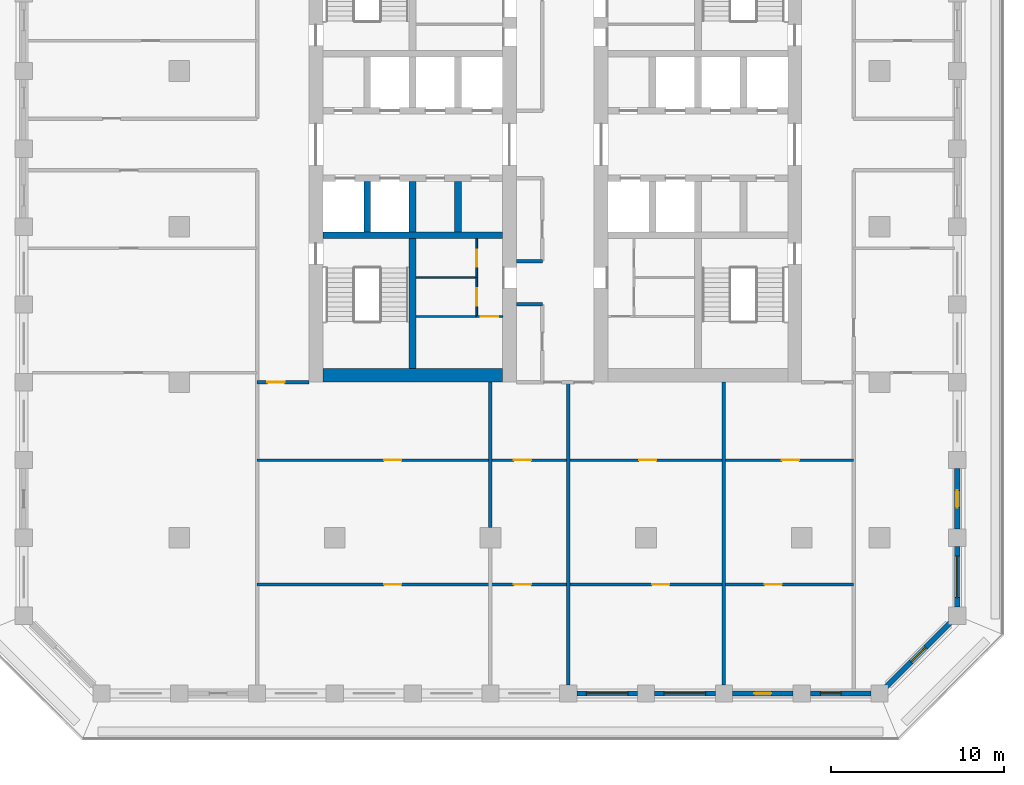
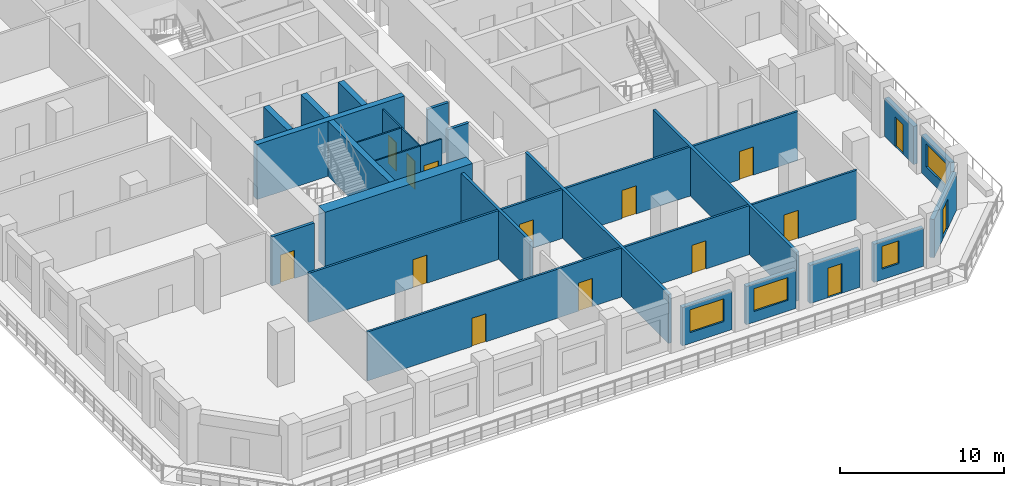
# One storey, part 3 of 16: 26 walls, 15 doors, 4 windows, 19 openings.
"""IFC4 building model written with IfcOpenShell, lengths in metres."""

import ifcopenshell
import ifcopenshell.guid

model = None  # the IFC model being written
_history = None  # IfcOwnerHistory: only IFC2X3 demands one
_inside = {}  # id of a spatial element -> (the spatial element, [elements in it])
_under = {}  # id of a project, library or spatial element -> (it, [spatial elements below it])
_declared = {}  # id of a project -> (the project, [libraries it declares])
_typed = {}  # id of a type object -> (the type object, [elements of that type])
_made_of = {}  # id of a material, layer set ... -> (it, [elements and type objects made of it])


def new_model(schema):
    """Start an empty IFC model of exactly this schema.

    Asked for "IFC4X3", IfcOpenShell would pick the latest addendum, in which some entities
    have other attributes; the version numbers below select the first issue.
    IFC2X3 requires an IfcOwnerHistory on every rooted entity: one is made here for all.
    """
    global model, _history
    if schema == "IFC4X3":
        model = ifcopenshell.file(schema_version=(4, 3, 0, 0))
    else:
        model = ifcopenshell.file(schema=schema)
    _inside.clear()
    _under.clear()
    _declared.clear()
    _typed.clear()
    _made_of.clear()
    _history = None
    if model.schema == "IFC2X3":
        org = make("IfcOrganization", Name="unknown")
        user = make(
            "IfcPersonAndOrganization",
            ThePerson=make("IfcPerson", FamilyName="unknown"),
            TheOrganization=org,
        )
        app = make(
            "IfcApplication",
            ApplicationDeveloper=org,
            Version="unknown",
            ApplicationFullName="unknown",
            ApplicationIdentifier="unknown",
        )
        _history = make(
            "IfcOwnerHistory",
            OwningUser=user,
            OwningApplication=app,
            ChangeAction="ADDED",
            CreationDate=0,
        )
    return model


def make(cls, **values):
    """One entity of the class cls with the attributes given. An attribute that is None is left unset."""
    return model.create_entity(
        cls, **{name: value for name, value in values.items() if value is not None}
    )


def rooted(cls, **values):
    """An entity with a GlobalId (a new one), such as an element, a storey or a relation."""
    return make(cls, GlobalId=ifcopenshell.guid.new(), OwnerHistory=_history, **values)


def si_unit(unit_type, name, prefix=None):
    """IfcSIUnit, for example si_unit("LENGTHUNIT", "METRE", prefix="MILLI")."""
    return make("IfcSIUnit", UnitType=unit_type, Prefix=prefix, Name=name)


def assignment(units):
    """IfcUnitAssignment: the units of a project."""
    return None if units is None else make("IfcUnitAssignment", Units=units)


def point(xyz):
    """IfcCartesianPoint."""
    return None if xyz is None else make("IfcCartesianPoint", Coordinates=xyz)


def direction(xyz):
    """IfcDirection."""
    return None if xyz is None else make("IfcDirection", DirectionRatios=xyz)


def frame(location, z_axis=None, x_axis=None):
    """IfcAxis2Placement3D, a coordinate frame: its origin and axes. An axis left out is left unset."""
    return make(
        "IfcAxis2Placement3D",
        Location=point(location),
        Axis=direction(z_axis),
        RefDirection=direction(x_axis),
    )


def frame_2d(location, x_axis=None):
    """IfcAxis2Placement2D, a coordinate frame in the plane: its origin and x axis."""
    return make(
        "IfcAxis2Placement2D", Location=point(location), RefDirection=direction(x_axis)
    )


def origin():
    """The frame at (0, 0, 0) with its axes left unset."""
    return frame((0.0, 0.0, 0.0))


def place(relative_to, where):
    """IfcLocalPlacement: puts the frame where relative to a parent placement (None: the world)."""
    return make(
        "IfcLocalPlacement", PlacementRelTo=relative_to, RelativePlacement=where
    )


def context(
    kind, dimensions, precision=None, world=None, true_north=None, identifier=None
):
    """IfcGeometricRepresentationContext, for example the 3D "Model" context."""
    return make(
        "IfcGeometricRepresentationContext",
        ContextIdentifier=identifier,
        ContextType=kind,
        CoordinateSpaceDimension=dimensions,
        Precision=precision,
        WorldCoordinateSystem=world,
        TrueNorth=true_north,
    )


def subcontext(parent, identifier, kind, view, scale=None):
    """IfcGeometricRepresentationSubContext, for example "Body" below "Model"."""
    return make(
        "IfcGeometricRepresentationSubContext",
        ContextIdentifier=identifier,
        ContextType=kind,
        ParentContext=parent,
        TargetScale=scale,
        TargetView=view,
    )


def project(units=None, contexts=None):
    """IfcProject with its units and contexts."""
    return rooted(
        "IfcProject",
        Name="project",
        RepresentationContexts=contexts,
        UnitsInContext=assignment(units),
    )


def spatial(cls, under=None, at=None, **own):
    """A site, building, storey or space (cls), placed at a placement, below another one or the project."""
    s = rooted(cls, ObjectPlacement=at, **own)
    if under is not None:
        _under.setdefault(under.id(), (under, []))[1].append(s)
    return s


def profile(cls, at=None, kind="AREA", **sizes):
    """A parametric profile (cls). Its sizes go by their IFC names, for example OverallWidth=200.0."""
    return make(cls, ProfileType=kind, Position=at, **sizes)


def rectangle(**sizes):
    """IfcRectangleProfileDef."""
    return profile("IfcRectangleProfileDef", **sizes)


def extrude(swept, where, along, depth):
    """IfcExtrudedAreaSolid: the profile swept, set in the frame where, extruded along a direction by depth."""
    return make(
        "IfcExtrudedAreaSolid",
        SweptArea=swept,
        Position=where,
        ExtrudedDirection=direction(along),
        Depth=depth,
    )


def shape(context_of_items, identifier, shape_type, items):
    """IfcShapeRepresentation: the items that make up one representation, for example the "Body"."""
    return make(
        "IfcShapeRepresentation",
        ContextOfItems=context_of_items,
        RepresentationIdentifier=identifier,
        RepresentationType=shape_type,
        Items=items,
    )


def material(Name=None, Category=None):
    """IfcMaterial."""
    return make("IfcMaterial", Name=Name, Category=Category)


def layer(
    of_material, thickness, ventilated=None, Name=None, Category=None, Priority=None
):
    """IfcMaterialLayer: one layer of a wall or slab, of a material (None: an air gap)."""
    return make(
        "IfcMaterialLayer",
        Material=of_material,
        LayerThickness=thickness,
        IsVentilated=ventilated,
        Name=Name,
        Category=Category,
        Priority=Priority,
    )


def layer_set(layers, Name=None):
    """IfcMaterialLayerSet."""
    return make("IfcMaterialLayerSet", MaterialLayers=layers, LayerSetName=Name)


def made_of(thing, what):
    """Note that an element or type object is made of a material, layer set ...; save() writes the relation."""
    if what is not None:
        _made_of.setdefault(what.id(), (what, []))[1].append(thing)
    return thing


def type_object(cls, material=None, **own):
    """A type object (cls), such as IfcWallType, which elements share."""
    return made_of(rooted(cls, **own), material)


def element(
    cls,
    number,
    at=None,
    inside=None,
    cuts=None,
    type_object=None,
    material=None,
    context=None,
    identifier="Body",
    shape_type=None,
    held_by="IfcProductDefinitionShape",
    body=None,
    shapes=None,
    **own,
):
    """One element of the class cls, such as IfcWall. Its Tag is "e" and its number.

    at: its placement. inside: the storey or other place that contains it. cuts: it is an
    opening in that element (IfcRelVoidsElement). A single representation is given by context,
    identifier, shape_type and body (its items); several are given by shapes. held_by: the class
    of the entity that holds the representations. save() writes the other relations.
    """
    e = rooted(cls, Tag="e%d" % number, ObjectPlacement=at, **own)
    if body is not None:
        shapes = [shape(context, identifier, shape_type, body)]
    if shapes is not None:
        e.Representation = make(held_by, Representations=shapes)
    if inside is not None:
        _inside.setdefault(inside.id(), (inside, []))[1].append(e)
    if cuts is not None:
        rooted(
            "IfcRelVoidsElement", RelatingBuildingElement=cuts, RelatedOpeningElement=e
        )
    if type_object is not None:
        _typed.setdefault(type_object.id(), (type_object, []))[1].append(e)
    return made_of(e, material)


def fill(opening, filler):
    """IfcRelFillsElement: the door or window that sits in an opening."""
    return rooted(
        "IfcRelFillsElement",
        RelatingOpeningElement=opening,
        RelatedBuildingElement=filler,
    )


def aggregate(whole, parts):
    """IfcRelAggregates: a whole, such as a stair, and the parts it consists of."""
    return rooted("IfcRelAggregates", RelatingObject=whole, RelatedObjects=parts)


def save(model, path):
    """Write the relations noted so far, then the file.

    IfcRelAggregates (storeys below a building ...), IfcRelContainedInSpatialStructure (elements
    in a storey), IfcRelDefinesByType, IfcRelAssociatesMaterial and IfcRelDeclares: one each for
    every whole, place, type object, material and project.
    """
    for whole, parts in _under.values():
        aggregate(whole, parts)
    for where, things in _inside.values():
        rooted(
            "IfcRelContainedInSpatialStructure",
            RelatedElements=things,
            RelatingStructure=where,
        )
    for kind, things in _typed.values():
        rooted("IfcRelDefinesByType", RelatedObjects=things, RelatingType=kind)
    for what, things in _made_of.values():
        rooted("IfcRelAssociatesMaterial", RelatedObjects=things, RelatingMaterial=what)
    for by, libraries in _declared.values():
        rooted("IfcRelDeclares", RelatingContext=by, RelatedDefinitions=libraries)
    model.write(path)


model = new_model("IFC4")

# Units and contexts
model_context = context("Model", 3, precision=1e-05, world=origin(), true_north=direction((0.0, 1.0)))
body_context = subcontext(model_context, "Body", "Model", "MODEL_VIEW")
ifc_project = project(units=[si_unit("LENGTHUNIT", "METRE"), si_unit("AREAUNIT", "SQUARE_METRE"), si_unit("VOLUMEUNIT", "CUBIC_METRE"), si_unit("PLANEANGLEUNIT", "RADIAN"), si_unit("MASSUNIT", "GRAM", prefix="KILO")], contexts=[model_context])

# Site, building, storey
site_placement = place(None, origin())
site = spatial("IfcSite", under=ifc_project, at=site_placement, CompositionType="ELEMENT")
building_placement = place(site_placement, origin())
building = spatial("IfcBuilding", under=site, at=building_placement, Name="Corbel Stack Research Tower", CompositionType="ELEMENT")
storey_placement = place(building_placement, frame((0.0, 0.0, 160.89990234375)))
storey = spatial("IfcBuildingStorey", under=building, at=storey_placement, Name="L36", CompositionType="ELEMENT", Elevation=160.89990234375)

# Walls
ifc_material_1 = material(Name="Concrete C60/75", Category="concrete")
ifc_layer_1 = layer(ifc_material_1, 0.39990234375)
ifc_layer_set_1 = layer_set([ifc_layer_1], Name="Concrete C60/75")
wall_type_1 = type_object("IfcWallType", Name="CW-400-60", PredefinedType="SHEAR", material=ifc_layer_set_1)
wall_1_placement = place(storey_placement, frame((-9.699951171875, -0.5, 0.0), z_axis=(0.0, 0.0, 1.0), x_axis=(1.0, 0.0, 0.0)))
element("IfcWall", 1, at=wall_1_placement, inside=storey, type_object=wall_type_1, Name="West core wall, south row back L36", PredefinedType="SHEAR", context=body_context, shape_type="SweptSolid", body=[
    extrude(rectangle(XDim=10.39990234375, YDim=0.39990234375, at=frame_2d((5.199951171875, 0.0))), origin(), (0.0, 0.0, 1.0), 4.10009765625),
])
for number, where, z_axis, x_axis, name in (
    (2, (-7.125, -0.300048828125, 0.0), (0.0, 0.0, 1.0), (0.0, 1.0, 0.0), "West core wall, south shaft 1 L36"),
    (3, (-4.5, -0.300048828125, 0.0), (0.0, 0.0, 1.0), (0.0, 1.0, 0.0), "West core wall, south shaft 2 L36"),
    (4, (-1.875, -0.300048828125, 0.0), (0.0, 0.0, 1.0), (0.0, 1.0, 0.0), "West core wall, south shaft 3 L36"),
):
    element("IfcWall", number, at=place(storey_placement, frame(where, z_axis=z_axis, x_axis=x_axis)), inside=storey, type_object=wall_type_1, Name=name, PredefinedType="SHEAR", context=body_context, shape_type="SweptSolid", body=[
        extrude(rectangle(XDim=2.900146484375, YDim=0.39990234375, at=frame_2d((1.4501953125, 0.0))), origin(), (0.0, 0.0, 1.0), 4.10009765625),
    ])
wall_2_placement = place(storey_placement, frame((-4.5, -8.199951171875, 0.0), z_axis=(0.0, 0.0, 1.0), x_axis=(0.0, 1.0, 0.0)))
element("IfcWall", 5, at=wall_2_placement, inside=storey, type_object=wall_type_1, Name="West core wall, south stair and WC L36", PredefinedType="SHEAR", context=body_context, shape_type="SweptSolid", body=[
    extrude(rectangle(XDim=7.5, YDim=0.39990234375, at=frame_2d((3.75, 0.0))), origin(), (0.0, 0.0, 1.0), 4.10009765625),
])
ifc_material_2 = material(Name="Concrete C60/75", Category="concrete")
ifc_layer_2 = layer(ifc_material_2, 0.800048828125)
ifc_layer_set_2 = layer_set([ifc_layer_2], Name="Concrete C60/75")
wall_type_2 = type_object("IfcWallType", Name="CW-800-60", PredefinedType="SHEAR", material=ifc_layer_set_2)
wall_3_placement = place(storey_placement, frame((-9.699951171875, -8.60009765625, 0.0), z_axis=(0.0, 0.0, 1.0), x_axis=(1.0, 0.0, 0.0)))
element("IfcWall", 6, at=wall_3_placement, inside=storey, type_object=wall_type_2, Name="West core wall, south end L36", PredefinedType="SHEAR", context=body_context, shape_type="SweptSolid", body=[
    extrude(rectangle(XDim=10.39990234375, YDim=0.800048828125, at=frame_2d((5.199951171875, 0.0))), origin(), (0.0, 0.0, 1.0), 4.10009765625),
])

# Wall, opening, door
ifc_material_3 = material(Name="Gypsum board")
ifc_layer_3 = layer(ifc_material_3, 0.10009765625)
ifc_layer_set_3 = layer_set([ifc_layer_3], Name="Gypsum board")
wall_type_3 = type_object("IfcWallType", Name="Core partition 100", PredefinedType="PARTITIONING", material=ifc_layer_set_3)
wall_4_placement = place(storey_placement, frame((-0.800048828125, -5.199951171875, 0.0), z_axis=(0.0, 0.0, 1.0), x_axis=(1.0, 0.0, 0.0)))
wall_4 = element("IfcWall", 7, at=wall_4_placement, inside=storey, type_object=wall_type_3, Name="Core partition W", PredefinedType="PARTITIONING", context=body_context, shape_type="SweptSolid", body=[
    extrude(rectangle(XDim=1.5, YDim=0.10009765625, at=frame_2d((0.75, 0.0))), origin(), (0.0, 0.0, 1.0), 3.650146484375),
])
opening_1_placement = place(wall_4_placement, frame((0.25, 0.0, 0.0)))
opening_1 = element("IfcOpeningElement", 8, at=opening_1_placement, cuts=wall_4, Name="Opening CR-W66-W2-1000", PredefinedType="OPENING", context=body_context, shape_type="SweptSolid", body=[
    extrude(rectangle(XDim=1.0, YDim=2.10009765625, at=frame_2d((0.5, 1.050048828125))), frame((0.0, 0.06005859375, 0.0), z_axis=(0.0, -1.0, 0.0), x_axis=(1.0, 0.0, 0.0)), (0.0, 0.0, 1.0), 0.1201171875),
])
ifc_material_4 = material(Name="Painted timber door", Category="wood")
door_type_1 = type_object("IfcDoorType", Name="WC door 1000 x 2100 right hand", OperationType="SINGLE_SWING_RIGHT", PredefinedType="DOOR", material=ifc_material_4)
door_1_placement = place(opening_1_placement, origin())
door_1 = element("IfcDoor", 9, at=door_1_placement, inside=storey, type_object=door_type_1, Name="Accessible WC door W core", OperationType="SINGLE_SWING_RIGHT", OverallHeight=2.10009765625, OverallWidth=1.0, PredefinedType="DOOR", context=body_context, shape_type="SweptSolid", body=[
    extrude(rectangle(XDim=1.0, YDim=2.10009765625, at=frame_2d((0.5, 1.050048828125))), frame((0.0, 0.02490234375, 0.0), z_axis=(0.0, -1.0, 0.0), x_axis=(1.0, 0.0, 0.0)), (0.0, 0.0, 1.0), 0.050048828125),
])
fill(opening_1, door_1)

wall_5_placement = place(storey_placement, frame((-0.800048828125, -5.199951171875, 0.0), z_axis=(0.0, 0.0, 1.0), x_axis=(0.0, 1.0, 0.0)))
wall_5 = element("IfcWall", 10, at=wall_5_placement, inside=storey, type_object=wall_type_3, Name="Core partition W", PredefinedType="PARTITIONING", context=body_context, shape_type="SweptSolid", body=[
    extrude(rectangle(XDim=2.25, YDim=0.10009765625, at=frame_2d((1.125, 0.0))), origin(), (0.0, 0.0, 1.0), 3.650146484375),
])
opening_2_placement = place(wall_5_placement, frame((0.625, 0.0, 0.0)))
opening_2 = element("IfcOpeningElement", 11, at=opening_2_placement, cuts=wall_5, Name="Opening CR-W66-W3-1000", PredefinedType="OPENING", context=body_context, shape_type="SweptSolid", body=[
    extrude(rectangle(XDim=1.0, YDim=2.10009765625, at=frame_2d((0.5, 1.050048828125))), frame((0.0, 0.06005859375, 0.0), z_axis=(0.0, -1.0, 0.0), x_axis=(1.0, 0.0, 0.0)), (0.0, 0.0, 1.0), 0.1201171875),
])
ifc_material_5 = material(Name="Painted timber door", Category="wood")
door_type_2 = type_object("IfcDoorType", Name="WC door 1000 x 2100 left hand", OperationType="SINGLE_SWING_LEFT", PredefinedType="DOOR", material=ifc_material_5)
door_2_placement = place(opening_2_placement, origin())
door_2 = element("IfcDoor", 12, at=door_2_placement, inside=storey, type_object=door_type_2, Name="Men's WC door W core", OperationType="SINGLE_SWING_LEFT", OverallHeight=2.10009765625, OverallWidth=1.0, PredefinedType="DOOR", context=body_context, shape_type="SweptSolid", body=[
    extrude(rectangle(XDim=1.0, YDim=2.10009765625, at=frame_2d((0.5, 1.050048828125))), frame((0.0, 0.02490234375, 0.0), z_axis=(0.0, -1.0, 0.0), x_axis=(1.0, 0.0, 0.0)), (0.0, 0.0, 1.0), 0.050048828125),
])
fill(opening_2, door_2)

wall_6_placement = place(storey_placement, frame((-0.800048828125, -2.949951171875, 0.0), z_axis=(0.0, 0.0, 1.0), x_axis=(0.0, 1.0, 0.0)))
wall_6 = element("IfcWall", 13, at=wall_6_placement, inside=storey, type_object=wall_type_3, Name="Core partition W", PredefinedType="PARTITIONING", context=body_context, shape_type="SweptSolid", body=[
    extrude(rectangle(XDim=2.25, YDim=0.10009765625, at=frame_2d((1.125, 0.0))), origin(), (0.0, 0.0, 1.0), 3.650146484375),
])
opening_3_placement = place(wall_6_placement, frame((0.625, 0.0, 0.0)))
opening_3 = element("IfcOpeningElement", 14, at=opening_3_placement, cuts=wall_6, Name="Opening CR-W66-W4-1000", PredefinedType="OPENING", context=body_context, shape_type="SweptSolid", body=[
    extrude(rectangle(XDim=1.0, YDim=2.10009765625, at=frame_2d((0.5, 1.050048828125))), frame((0.0, 0.06005859375, 0.0), z_axis=(0.0, -1.0, 0.0), x_axis=(1.0, 0.0, 0.0)), (0.0, 0.0, 1.0), 0.1201171875),
])
door_3_placement = place(opening_3_placement, origin())
door_3 = element("IfcDoor", 15, at=door_3_placement, inside=storey, type_object=door_type_1, Name="Women's WC door W core", OperationType="SINGLE_SWING_RIGHT", OverallHeight=2.10009765625, OverallWidth=1.0, PredefinedType="DOOR", context=body_context, shape_type="SweptSolid", body=[
    extrude(rectangle(XDim=1.0, YDim=2.10009765625, at=frame_2d((0.5, 1.050048828125))), frame((0.0, 0.02490234375, 0.0), z_axis=(0.0, -1.0, 0.0), x_axis=(1.0, 0.0, 0.0)), (0.0, 0.0, 1.0), 0.050048828125),
])
fill(opening_3, door_3)

# Walls
for number, where, z_axis, x_axis, name in (
    (16, (-4.300048828125, -5.199951171875, 0.0), (0.0, 0.0, 1.0), (1.0, 0.0, 0.0), "Core partition W"),
    (17, (-4.300048828125, -2.949951171875, 0.0), (0.0, 0.0, 1.0), (1.0, 0.0, 0.0), "Core partition W"),
):
    element("IfcWall", number, at=place(storey_placement, frame(where, z_axis=z_axis, x_axis=x_axis)), inside=storey, type_object=wall_type_3, Name=name, PredefinedType="PARTITIONING", context=body_context, shape_type="SweptSolid", body=[
        extrude(rectangle(XDim=3.5, YDim=0.10009765625, at=frame_2d((1.75, 0.0))), origin(), (0.0, 0.0, 1.0), 3.650146484375),
    ])
ifc_material_6 = material(Name="Fire-rated gypsum board partition on steel studs", Category="steel")
ifc_layer_4 = layer(ifc_material_6, 0.199951171875)
ifc_layer_set_4 = layer_set([ifc_layer_4], Name="Fire-rated gypsum board partition on steel studs")
wall_type_4 = type_object("IfcWallType", Name="Fire-rated partition 200 EI 60", PredefinedType="PARTITIONING", material=ifc_layer_set_4)
wall_7_placement = place(storey_placement, frame((0.0, -17.39990234375, 0.0), z_axis=(0.0, 0.0, 1.0), x_axis=(0.0, 1.0, 0.0)))
element("IfcWall", 18, at=wall_7_placement, inside=storey, type_object=wall_type_4, Name="Partition L36-004", PredefinedType="PARTITIONING", context=body_context, shape_type="SweptSolid", body=[
    extrude(rectangle(XDim=8.39990234375, YDim=0.199951171875, at=frame_2d((4.199951171875, 0.0))), origin(), (0.0, 0.0, 1.0), 3.650146484375),
])
for number, where, z_axis, x_axis, name in (
    (19, (4.5, -26.5, 0.0), (0.0, 0.0, 1.0), (0.0, 1.0, 0.0), "Partition L36-011"),
    (20, (13.5, -26.5, 0.0), (0.0, 0.0, 1.0), (0.0, 1.0, 0.0), "Partition L36-012"),
):
    element("IfcWall", number, at=place(storey_placement, frame(where, z_axis=z_axis, x_axis=x_axis)), inside=storey, type_object=wall_type_4, Name=name, PredefinedType="PARTITIONING", context=body_context, shape_type="SweptSolid", body=[
        extrude(rectangle(XDim=17.5, YDim=0.199951171875, at=frame_2d((8.75, 0.0))), origin(), (0.0, 0.0, 1.0), 3.650146484375),
    ])

# Wall, opening, door
wall_8_placement = place(storey_placement, frame((-10.5, -9.0, 0.0), z_axis=(0.0, 0.0, 1.0), x_axis=(-1.0, 0.0, 0.0)))
wall_8 = element("IfcWall", 21, at=wall_8_placement, inside=storey, type_object=wall_type_4, Name="Partition L36-018", PredefinedType="PARTITIONING", context=body_context, shape_type="SweptSolid", body=[
    extrude(rectangle(XDim=3.0, YDim=0.199951171875, at=frame_2d((1.5, 0.0))), origin(), (0.0, 0.0, 1.0), 3.650146484375),
])
opening_4_placement = place(wall_8_placement, frame((1.39990234375, 0.0, 0.0)))
opening_4 = element("IfcOpeningElement", 22, at=opening_4_placement, cuts=wall_8, Name="Opening B5V0-009", PredefinedType="OPENING", context=body_context, shape_type="SweptSolid", body=[
    extrude(rectangle(XDim=1.0, YDim=2.10009765625, at=frame_2d((0.5, 1.050048828125))), frame((0.0, 0.10986328125, 0.0), z_axis=(0.0, -1.0, 0.0), x_axis=(1.0, 0.0, 0.0)), (0.0, 0.0, 1.0), 0.219970703125),
])
ifc_material_7 = material(Name="Painted steel fire door", Category="steel")
door_type_3 = type_object("IfcDoorType", Name="Fire door FD30S 1000 x 2100", OperationType="NOTDEFINED", PredefinedType="DOOR", material=ifc_material_7)
door_4_placement = place(opening_4_placement, origin())
door_4 = element("IfcDoor", 23, at=door_4_placement, inside=storey, type_object=door_type_3, Name="Door B5V0-009", OperationType="SINGLE_SWING_RIGHT", OverallHeight=2.10009765625, OverallWidth=1.0, PredefinedType="DOOR", context=body_context, shape_type="SweptSolid", body=[
    extrude(rectangle(XDim=1.0, YDim=2.10009765625, at=frame_2d((0.5, 1.050048828125))), frame((0.0, 0.02490234375, 0.0), z_axis=(0.0, -1.0, 0.0), x_axis=(1.0, 0.0, 0.0)), (0.0, 0.0, 1.0), 0.050048828125),
])
fill(opening_4, door_4)

# Walls
for number, where, z_axis, x_axis, name in (
    (24, (1.5, -4.5, 0.0), (0.0, 0.0, 1.0), (1.0, 0.0, 0.0), "Partition L36-025"),
    (25, (1.5, -2.0, 0.0), (0.0, 0.0, 1.0), (1.0, 0.0, 0.0), "Partition L36-026"),
):
    element("IfcWall", number, at=place(storey_placement, frame(where, z_axis=z_axis, x_axis=x_axis)), inside=storey, type_object=wall_type_4, Name=name, PredefinedType="PARTITIONING", context=body_context, shape_type="SweptSolid", body=[
        extrude(rectangle(XDim=1.5, YDim=0.199951171875, at=frame_2d((0.75, 0.0))), origin(), (0.0, 0.0, 1.0), 3.650146484375),
    ])

# Wall, openings, doors
ifc_material_8 = material(Name="Gypsum board partition on steel studs", Category="steel")
ifc_layer_5 = layer(ifc_material_8, 0.14990234375)
ifc_layer_set_5 = layer_set([ifc_layer_5], Name="Gypsum board partition on steel studs")
wall_type_5 = type_object("IfcWallType", Name="Partition 150", PredefinedType="PARTITIONING", material=ifc_layer_set_5)
wall_9_placement = place(storey_placement, frame((21.0, -20.699951171875, 0.0), z_axis=(0.0, 0.0, 1.0), x_axis=(-1.0, 0.0, 0.0)))
wall_9 = element("IfcWall", 26, at=wall_9_placement, inside=storey, type_object=wall_type_5, Name="Partition L36-016", PredefinedType="PARTITIONING", context=body_context, shape_type="SweptSolid", body=[
    extrude(rectangle(XDim=34.5, YDim=0.14990234375, at=frame_2d((17.25, 0.0))), origin(), (0.0, 0.0, 1.0), 3.650146484375),
])
opening_5_placement = place(wall_9_placement, frame((26.14990234375, 0.0, 0.0)))
opening_5 = element("IfcOpeningElement", 27, at=opening_5_placement, cuts=wall_9, Name="Opening B5V0-001", PredefinedType="OPENING", context=body_context, shape_type="SweptSolid", body=[
    extrude(rectangle(XDim=1.0, YDim=2.10009765625, at=frame_2d((0.5, 1.050048828125))), frame((0.0, 0.0849609375, 0.0), z_axis=(0.0, -1.0, 0.0), x_axis=(1.0, 0.0, 0.0)), (0.0, 0.0, 1.0), 0.169921875),
])
opening_6_placement = place(wall_9_placement, frame((18.64990234375, 0.0, 0.0)))
opening_6 = element("IfcOpeningElement", 28, at=opening_6_placement, cuts=wall_9, Name="Opening B5V0-002", PredefinedType="OPENING", context=body_context, shape_type="SweptSolid", body=[
    extrude(rectangle(XDim=1.0, YDim=2.10009765625, at=frame_2d((0.5, 1.050048828125))), frame((0.0, 0.0849609375, 0.0), z_axis=(0.0, -1.0, 0.0), x_axis=(1.0, 0.0, 0.0)), (0.0, 0.0, 1.0), 0.169921875),
])
opening_7_placement = place(wall_9_placement, frame((10.64990234375, 0.0, 0.0)))
opening_7 = element("IfcOpeningElement", 29, at=opening_7_placement, cuts=wall_9, Name="Opening B5V0-003", PredefinedType="OPENING", context=body_context, shape_type="SweptSolid", body=[
    extrude(rectangle(XDim=1.0, YDim=2.10009765625, at=frame_2d((0.5, 1.050048828125))), frame((0.0, 0.0849609375, 0.0), z_axis=(0.0, -1.0, 0.0), x_axis=(1.0, 0.0, 0.0)), (0.0, 0.0, 1.0), 0.169921875),
])
opening_8_placement = place(wall_9_placement, frame((4.14990234375, 0.0, 0.0)))
opening_8 = element("IfcOpeningElement", 30, at=opening_8_placement, cuts=wall_9, Name="Opening B5V0-004", PredefinedType="OPENING", context=body_context, shape_type="SweptSolid", body=[
    extrude(rectangle(XDim=1.0, YDim=2.10009765625, at=frame_2d((0.5, 1.050048828125))), frame((0.0, 0.0849609375, 0.0), z_axis=(0.0, -1.0, 0.0), x_axis=(1.0, 0.0, 0.0)), (0.0, 0.0, 1.0), 0.169921875),
])
ifc_material_9 = material(Name="Painted timber door", Category="wood")
door_type_4 = type_object("IfcDoorType", Name="Single door 1000 x 2100", OperationType="NOTDEFINED", PredefinedType="DOOR", material=ifc_material_9)
door_5_placement = place(opening_5_placement, origin())
door_5 = element("IfcDoor", 31, at=door_5_placement, inside=storey, type_object=door_type_4, Name="Door B5V0-001", OperationType="SINGLE_SWING_RIGHT", OverallHeight=2.10009765625, OverallWidth=1.0, PredefinedType="DOOR", context=body_context, shape_type="SweptSolid", body=[
    extrude(rectangle(XDim=1.0, YDim=2.10009765625, at=frame_2d((0.5, 1.050048828125))), frame((0.0, 0.02490234375, 0.0), z_axis=(0.0, -1.0, 0.0), x_axis=(1.0, 0.0, 0.0)), (0.0, 0.0, 1.0), 0.050048828125),
])
fill(opening_5, door_5)
door_6_placement = place(opening_6_placement, origin())
door_6 = element("IfcDoor", 32, at=door_6_placement, inside=storey, type_object=door_type_4, Name="Door B5V0-002", OperationType="SINGLE_SWING_RIGHT", OverallHeight=2.10009765625, OverallWidth=1.0, PredefinedType="DOOR", context=body_context, shape_type="SweptSolid", body=[
    extrude(rectangle(XDim=1.0, YDim=2.10009765625, at=frame_2d((0.5, 1.050048828125))), frame((0.0, 0.02490234375, 0.0), z_axis=(0.0, -1.0, 0.0), x_axis=(1.0, 0.0, 0.0)), (0.0, 0.0, 1.0), 0.050048828125),
])
fill(opening_6, door_6)
door_7_placement = place(opening_7_placement, origin())
door_7 = element("IfcDoor", 33, at=door_7_placement, inside=storey, type_object=door_type_4, Name="Door B5V0-003", OperationType="SINGLE_SWING_LEFT", OverallHeight=2.10009765625, OverallWidth=1.0, PredefinedType="DOOR", context=body_context, shape_type="SweptSolid", body=[
    extrude(rectangle(XDim=1.0, YDim=2.10009765625, at=frame_2d((0.5, 1.050048828125))), frame((0.0, 0.02490234375, 0.0), z_axis=(0.0, -1.0, 0.0), x_axis=(1.0, 0.0, 0.0)), (0.0, 0.0, 1.0), 0.050048828125),
])
fill(opening_7, door_7)
door_8_placement = place(opening_8_placement, origin())
door_8 = element("IfcDoor", 34, at=door_8_placement, inside=storey, type_object=door_type_4, Name="Door B5V0-004", OperationType="SINGLE_SWING_LEFT", OverallHeight=2.10009765625, OverallWidth=1.0, PredefinedType="DOOR", context=body_context, shape_type="SweptSolid", body=[
    extrude(rectangle(XDim=1.0, YDim=2.10009765625, at=frame_2d((0.5, 1.050048828125))), frame((0.0, 0.02490234375, 0.0), z_axis=(0.0, -1.0, 0.0), x_axis=(1.0, 0.0, 0.0)), (0.0, 0.0, 1.0), 0.050048828125),
])
fill(opening_8, door_8)

wall_10_placement = place(storey_placement, frame((21.0, -13.5, 0.0), z_axis=(0.0, 0.0, 1.0), x_axis=(-1.0, 0.0, 0.0)))
wall_10 = element("IfcWall", 35, at=wall_10_placement, inside=storey, type_object=wall_type_5, Name="Partition L36-017", PredefinedType="PARTITIONING", context=body_context, shape_type="SweptSolid", body=[
    extrude(rectangle(XDim=34.5, YDim=0.14990234375, at=frame_2d((17.25, 0.0))), origin(), (0.0, 0.0, 1.0), 3.650146484375),
])
opening_9_placement = place(wall_10_placement, frame((26.14990234375, 0.0, 0.0)))
opening_9 = element("IfcOpeningElement", 36, at=opening_9_placement, cuts=wall_10, Name="Opening B5V0-005", PredefinedType="OPENING", context=body_context, shape_type="SweptSolid", body=[
    extrude(rectangle(XDim=1.0, YDim=2.10009765625, at=frame_2d((0.5, 1.050048828125))), frame((0.0, 0.0849609375, 0.0), z_axis=(0.0, -1.0, 0.0), x_axis=(1.0, 0.0, 0.0)), (0.0, 0.0, 1.0), 0.169921875),
])
opening_10_placement = place(wall_10_placement, frame((18.64990234375, 0.0, 0.0)))
opening_10 = element("IfcOpeningElement", 37, at=opening_10_placement, cuts=wall_10, Name="Opening B5V0-006", PredefinedType="OPENING", context=body_context, shape_type="SweptSolid", body=[
    extrude(rectangle(XDim=1.0, YDim=2.10009765625, at=frame_2d((0.5, 1.050048828125))), frame((0.0, 0.0849609375, 0.0), z_axis=(0.0, -1.0, 0.0), x_axis=(1.0, 0.0, 0.0)), (0.0, 0.0, 1.0), 0.169921875),
])
opening_11_placement = place(wall_10_placement, frame((11.39990234375, 0.0, 0.0)))
opening_11 = element("IfcOpeningElement", 38, at=opening_11_placement, cuts=wall_10, Name="Opening B5V0-007", PredefinedType="OPENING", context=body_context, shape_type="SweptSolid", body=[
    extrude(rectangle(XDim=1.0, YDim=2.10009765625, at=frame_2d((0.5, 1.050048828125))), frame((0.0, 0.0849609375, 0.0), z_axis=(0.0, -1.0, 0.0), x_axis=(1.0, 0.0, 0.0)), (0.0, 0.0, 1.0), 0.169921875),
])
opening_12_placement = place(wall_10_placement, frame((3.14990234375, 0.0, 0.0)))
opening_12 = element("IfcOpeningElement", 39, at=opening_12_placement, cuts=wall_10, Name="Opening B5V0-008", PredefinedType="OPENING", context=body_context, shape_type="SweptSolid", body=[
    extrude(rectangle(XDim=1.0, YDim=2.10009765625, at=frame_2d((0.5, 1.050048828125))), frame((0.0, 0.0849609375, 0.0), z_axis=(0.0, -1.0, 0.0), x_axis=(1.0, 0.0, 0.0)), (0.0, 0.0, 1.0), 0.169921875),
])
door_9_placement = place(opening_9_placement, origin())
door_9 = element("IfcDoor", 40, at=door_9_placement, inside=storey, type_object=door_type_4, Name="Door B5V0-005", OperationType="SINGLE_SWING_RIGHT", OverallHeight=2.10009765625, OverallWidth=1.0, PredefinedType="DOOR", context=body_context, shape_type="SweptSolid", body=[
    extrude(rectangle(XDim=1.0, YDim=2.10009765625, at=frame_2d((0.5, 1.050048828125))), frame((0.0, 0.02490234375, 0.0), z_axis=(0.0, -1.0, 0.0), x_axis=(1.0, 0.0, 0.0)), (0.0, 0.0, 1.0), 0.050048828125),
])
fill(opening_9, door_9)
door_10_placement = place(opening_10_placement, origin())
door_10 = element("IfcDoor", 41, at=door_10_placement, inside=storey, type_object=door_type_4, Name="Door B5V0-006", OperationType="SINGLE_SWING_RIGHT", OverallHeight=2.10009765625, OverallWidth=1.0, PredefinedType="DOOR", context=body_context, shape_type="SweptSolid", body=[
    extrude(rectangle(XDim=1.0, YDim=2.10009765625, at=frame_2d((0.5, 1.050048828125))), frame((0.0, 0.02490234375, 0.0), z_axis=(0.0, -1.0, 0.0), x_axis=(1.0, 0.0, 0.0)), (0.0, 0.0, 1.0), 0.050048828125),
])
fill(opening_10, door_10)
door_11_placement = place(opening_11_placement, origin())
door_11 = element("IfcDoor", 42, at=door_11_placement, inside=storey, type_object=door_type_4, Name="Door B5V0-007", OperationType="SINGLE_SWING_LEFT", OverallHeight=2.10009765625, OverallWidth=1.0, PredefinedType="DOOR", context=body_context, shape_type="SweptSolid", body=[
    extrude(rectangle(XDim=1.0, YDim=2.10009765625, at=frame_2d((0.5, 1.050048828125))), frame((0.0, 0.02490234375, 0.0), z_axis=(0.0, -1.0, 0.0), x_axis=(1.0, 0.0, 0.0)), (0.0, 0.0, 1.0), 0.050048828125),
])
fill(opening_11, door_11)
door_12_placement = place(opening_12_placement, origin())
door_12 = element("IfcDoor", 43, at=door_12_placement, inside=storey, type_object=door_type_4, Name="Door B5V0-008", OperationType="SINGLE_SWING_LEFT", OverallHeight=2.10009765625, OverallWidth=1.0, PredefinedType="DOOR", context=body_context, shape_type="SweptSolid", body=[
    extrude(rectangle(XDim=1.0, YDim=2.10009765625, at=frame_2d((0.5, 1.050048828125))), frame((0.0, 0.02490234375, 0.0), z_axis=(0.0, -1.0, 0.0), x_axis=(1.0, 0.0, 0.0)), (0.0, 0.0, 1.0), 0.050048828125),
])
fill(opening_12, door_12)

# Wall, opening, window
ifc_material_10 = material(Name="Concrete C45/55", Category="concrete")
ifc_layer_6 = layer(ifc_material_10, 0.300048828125)
ifc_layer_set_6 = layer_set([ifc_layer_6], Name="Concrete C45/55")
wall_type_6 = type_object("IfcWallType", Name="Terracotta-faced concrete wall 300", PredefinedType="SOLIDWALL", material=ifc_layer_set_6)
wall_11_placement = place(storey_placement, frame((8.5, -27.0, 0.0), z_axis=(0.0, 0.0, 1.0), x_axis=(-1.0, 0.0, 0.0)))
wall_11 = element("IfcWall", 44, at=wall_11_placement, inside=storey, type_object=wall_type_6, Name="Facade wall L36 S07", PredefinedType="SOLIDWALL", context=body_context, shape_type="SweptSolid", body=[
    extrude(rectangle(XDim=3.5, YDim=0.300048828125, at=frame_2d((1.75, 0.0))), origin(), (0.0, 0.0, 1.0), 2.85009765625),
])
opening_13_placement = place(wall_11_placement, frame((0.550048828125, 0.0, 0.800048828125)))
opening_13 = element("IfcOpeningElement", 45, at=opening_13_placement, cuts=wall_11, Name="Opening W1", PredefinedType="OPENING", context=body_context, shape_type="SweptSolid", body=[
    extrude(rectangle(XDim=2.39990234375, YDim=1.699951171875, at=frame_2d((1.199951171875, 0.85009765625))), frame((0.0, 0.159912109375, 0.0), z_axis=(0.0, -1.0, 0.0), x_axis=(1.0, 0.0, 0.0)), (0.0, 0.0, 1.0), 0.320068359375),
])
ifc_material_11 = material(Name="Aluminium frame, clear double glazing", Category="aluminium")
window_type_1 = type_object("IfcWindowType", Name="Window W1 2400 x 1700", PartitioningType="SINGLE_PANEL", PredefinedType="WINDOW", material=ifc_material_11)
window_1_placement = place(opening_13_placement, origin())
window_1 = element("IfcWindow", 46, at=window_1_placement, inside=storey, type_object=window_type_1, Name="Window W1 L36 S07", OverallHeight=1.699951171875, OverallWidth=2.39990234375, PartitioningType="SINGLE_PANEL", PredefinedType="WINDOW", context=body_context, shape_type="SweptSolid", body=[
    extrude(rectangle(XDim=2.39990234375, YDim=1.699951171875, at=frame_2d((1.199951171875, 0.85009765625))), frame((0.0, 0.030029296875, 0.0), z_axis=(0.0, -1.0, 0.0), x_axis=(1.0, 0.0, 0.0)), (0.0, 0.0, 1.0), 0.06005859375),
])
fill(opening_13, window_1)

wall_12_placement = place(storey_placement, frame((13.0, -27.0, 0.0), z_axis=(0.0, 0.0, 1.0), x_axis=(-1.0, 0.0, 0.0)))
wall_12 = element("IfcWall", 47, at=wall_12_placement, inside=storey, type_object=wall_type_6, Name="Facade wall L36 S08", PredefinedType="SOLIDWALL", context=body_context, shape_type="SweptSolid", body=[
    extrude(rectangle(XDim=3.5, YDim=0.300048828125, at=frame_2d((1.75, 0.0))), origin(), (0.0, 0.0, 1.0), 2.85009765625),
])
opening_14_placement = place(wall_12_placement, frame((0.550048828125, 0.0, 0.800048828125)))
opening_14 = element("IfcOpeningElement", 48, at=opening_14_placement, cuts=wall_12, Name="Opening W1", PredefinedType="OPENING", context=body_context, shape_type="SweptSolid", body=[
    extrude(rectangle(XDim=2.39990234375, YDim=1.699951171875, at=frame_2d((1.199951171875, 0.85009765625))), frame((0.0, 0.159912109375, 0.0), z_axis=(0.0, -1.0, 0.0), x_axis=(1.0, 0.0, 0.0)), (0.0, 0.0, 1.0), 0.320068359375),
])
window_2_placement = place(opening_14_placement, origin())
window_2 = element("IfcWindow", 49, at=window_2_placement, inside=storey, type_object=window_type_1, Name="Window W1 L36 S08", OverallHeight=1.699951171875, OverallWidth=2.39990234375, PartitioningType="SINGLE_PANEL", PredefinedType="WINDOW", context=body_context, shape_type="SweptSolid", body=[
    extrude(rectangle(XDim=2.39990234375, YDim=1.699951171875, at=frame_2d((1.199951171875, 0.85009765625))), frame((0.0, 0.030029296875, 0.0), z_axis=(0.0, -1.0, 0.0), x_axis=(1.0, 0.0, 0.0)), (0.0, 0.0, 1.0), 0.06005859375),
])
fill(opening_14, window_2)

# Wall, opening, door
wall_13_placement = place(storey_placement, frame((17.5, -27.0, 0.0), z_axis=(0.0, 0.0, 1.0), x_axis=(-1.0, 0.0, 0.0)))
wall_13 = element("IfcWall", 50, at=wall_13_placement, inside=storey, type_object=wall_type_6, Name="Facade wall L36 S09", PredefinedType="SOLIDWALL", context=body_context, shape_type="SweptSolid", body=[
    extrude(rectangle(XDim=3.5, YDim=0.300048828125, at=frame_2d((1.75, 0.0))), origin(), (0.0, 0.0, 1.0), 2.85009765625),
])
opening_15_placement = place(wall_13_placement, frame((1.25, 0.0, 0.0)))
opening_15 = element("IfcOpeningElement", 51, at=opening_15_placement, cuts=wall_13, Name="Opening L36-B02", PredefinedType="OPENING", context=body_context, shape_type="SweptSolid", body=[
    extrude(rectangle(XDim=1.0, YDim=2.199951171875, at=frame_2d((0.5, 1.10009765625))), frame((0.0, 0.159912109375, 0.0), z_axis=(0.0, -1.0, 0.0), x_axis=(1.0, 0.0, 0.0)), (0.0, 0.0, 1.0), 0.320068359375),
])
ifc_material_12 = material(Name="Aluminium frame, clear double glazing", Category="aluminium")
door_type_5 = type_object("IfcDoorType", Name="Balcony door BD1 1000 x 2200", OperationType="NOTDEFINED", PredefinedType="DOOR", material=ifc_material_12)
door_13_placement = place(opening_15_placement, origin())
door_13 = element("IfcDoor", 52, at=door_13_placement, inside=storey, type_object=door_type_5, Name="Balcony door L36-B02", OperationType="SINGLE_SWING_LEFT", OverallHeight=2.199951171875, OverallWidth=1.0, PredefinedType="DOOR", context=body_context, shape_type="SweptSolid", body=[
    extrude(rectangle(XDim=1.0, YDim=2.199951171875, at=frame_2d((0.5, 1.10009765625))), frame((0.0, 0.02490234375, 0.0), z_axis=(0.0, -1.0, 0.0), x_axis=(1.0, 0.0, 0.0)), (0.0, 0.0, 1.0), 0.050048828125),
])
fill(opening_15, door_13)

# Wall, opening, window
wall_14_placement = place(storey_placement, frame((22.0, -27.0, 0.0), z_axis=(0.0, 0.0, 1.0), x_axis=(-1.0, 0.0, 0.0)))
wall_14 = element("IfcWall", 53, at=wall_14_placement, inside=storey, type_object=wall_type_6, Name="Facade wall L36 S10", PredefinedType="SOLIDWALL", context=body_context, shape_type="SweptSolid", body=[
    extrude(rectangle(XDim=3.5, YDim=0.300048828125, at=frame_2d((1.75, 0.0))), origin(), (0.0, 0.0, 1.0), 2.85009765625),
])
opening_16_placement = place(wall_14_placement, frame((1.72509765625, 0.0, 0.800048828125)))
opening_16 = element("IfcOpeningElement", 54, at=opening_16_placement, cuts=wall_14, Name="Opening W2", PredefinedType="OPENING", context=body_context, shape_type="SweptSolid", body=[
    extrude(rectangle(XDim=1.199951171875, YDim=1.699951171875, at=frame_2d((0.60009765625, 0.85009765625))), frame((0.0, 0.159912109375, 0.0), z_axis=(0.0, -1.0, 0.0), x_axis=(1.0, 0.0, 0.0)), (0.0, 0.0, 1.0), 0.320068359375),
])
ifc_material_13 = material(Name="Aluminium frame, clear double glazing", Category="aluminium")
window_type_2 = type_object("IfcWindowType", Name="Window W2 1200 x 1700", PartitioningType="SINGLE_PANEL", PredefinedType="WINDOW", material=ifc_material_13)
window_3_placement = place(opening_16_placement, origin())
window_3 = element("IfcWindow", 55, at=window_3_placement, inside=storey, type_object=window_type_2, Name="Window W2 L36 S10", OverallHeight=1.699951171875, OverallWidth=1.199951171875, PartitioningType="SINGLE_PANEL", PredefinedType="WINDOW", context=body_context, shape_type="SweptSolid", body=[
    extrude(rectangle(XDim=1.199951171875, YDim=1.699951171875, at=frame_2d((0.60009765625, 0.85009765625))), frame((0.0, 0.030029296875, 0.0), z_axis=(0.0, -1.0, 0.0), x_axis=(1.0, 0.0, 0.0)), (0.0, 0.0, 1.0), 0.06005859375),
])
fill(opening_16, window_3)

# Wall, opening, door
wall_15_placement = place(storey_placement, frame((26.606201171875, -22.893798828125, 0.0), z_axis=(0.0, 0.0, 1.0), x_axis=(-0.707106781187, -0.707106781187, 0.0)))
wall_15 = element("IfcWall", 56, at=wall_15_placement, inside=storey, type_object=wall_type_6, Name="Facade wall L36 SE01", PredefinedType="SOLIDWALL", context=body_context, shape_type="SweptSolid", body=[
    extrude(rectangle(XDim=5.250244140625, YDim=0.300048828125, at=frame_2d((2.625, 0.0))), origin(), (0.0, 0.0, 1.0), 2.85009765625),
])
opening_17_placement = place(wall_15_placement, frame((2.02490234375, 0.0, 0.0)))
opening_17 = element("IfcOpeningElement", 57, at=opening_17_placement, cuts=wall_15, Name="Opening L36-B03", PredefinedType="OPENING", context=body_context, shape_type="SweptSolid", body=[
    extrude(rectangle(XDim=1.199951171875, YDim=2.199951171875, at=frame_2d((0.60009765625, 1.10009765625))), frame((0.0, 0.159912109375, 0.0), z_axis=(0.0, -1.0, 0.0), x_axis=(1.0, 0.0, 0.0)), (0.0, 0.0, 1.0), 0.320068359375),
])
ifc_material_14 = material(Name="Aluminium frame, clear double glazing", Category="aluminium")
door_type_6 = type_object("IfcDoorType", Name="Balcony door BD2 1200 x 2200", OperationType="NOTDEFINED", PredefinedType="DOOR", material=ifc_material_14)
door_14_placement = place(opening_17_placement, origin())
door_14 = element("IfcDoor", 58, at=door_14_placement, inside=storey, type_object=door_type_6, Name="Balcony door L36-B03", OperationType="SINGLE_SWING_LEFT", OverallHeight=2.199951171875, OverallWidth=1.199951171875, PredefinedType="DOOR", context=body_context, shape_type="SweptSolid", body=[
    extrude(rectangle(XDim=1.199951171875, YDim=2.199951171875, at=frame_2d((0.60009765625, 1.10009765625))), frame((0.0, 0.02490234375, 0.0), z_axis=(0.0, -1.0, 0.0), x_axis=(1.0, 0.0, 0.0)), (0.0, 0.0, 1.0), 0.050048828125),
])
fill(opening_17, door_14)

# Wall, opening, window
wall_16_placement = place(storey_placement, frame((27.0, -18.5, 0.0), z_axis=(0.0, 0.0, 1.0), x_axis=(0.0, -1.0, 0.0)))
wall_16 = element("IfcWall", 59, at=wall_16_placement, inside=storey, type_object=wall_type_6, Name="Facade wall L36 E01", PredefinedType="SOLIDWALL", context=body_context, shape_type="SweptSolid", body=[
    extrude(rectangle(XDim=3.5, YDim=0.300048828125, at=frame_2d((1.75, 0.0))), origin(), (0.0, 0.0, 1.0), 2.85009765625),
])
opening_18_placement = place(wall_16_placement, frame((0.550048828125, 0.0, 0.800048828125)))
opening_18 = element("IfcOpeningElement", 60, at=opening_18_placement, cuts=wall_16, Name="Opening W1", PredefinedType="OPENING", context=body_context, shape_type="SweptSolid", body=[
    extrude(rectangle(XDim=2.39990234375, YDim=1.699951171875, at=frame_2d((1.199951171875, 0.85009765625))), frame((0.0, 0.159912109375, 0.0), z_axis=(0.0, -1.0, 0.0), x_axis=(1.0, 0.0, 0.0)), (0.0, 0.0, 1.0), 0.320068359375),
])
window_4_placement = place(opening_18_placement, origin())
window_4 = element("IfcWindow", 61, at=window_4_placement, inside=storey, type_object=window_type_1, Name="Window W1 L36 E01", OverallHeight=1.699951171875, OverallWidth=2.39990234375, PartitioningType="SINGLE_PANEL", PredefinedType="WINDOW", context=body_context, shape_type="SweptSolid", body=[
    extrude(rectangle(XDim=2.39990234375, YDim=1.699951171875, at=frame_2d((1.199951171875, 0.85009765625))), frame((0.0, 0.030029296875, 0.0), z_axis=(0.0, -1.0, 0.0), x_axis=(1.0, 0.0, 0.0)), (0.0, 0.0, 1.0), 0.06005859375),
])
fill(opening_18, window_4)

# Wall, opening, door
wall_17_placement = place(storey_placement, frame((27.0, -14.0, 0.0), z_axis=(0.0, 0.0, 1.0), x_axis=(0.0, -1.0, 0.0)))
wall_17 = element("IfcWall", 62, at=wall_17_placement, inside=storey, type_object=wall_type_6, Name="Facade wall L36 E02", PredefinedType="SOLIDWALL", context=body_context, shape_type="SweptSolid", body=[
    extrude(rectangle(XDim=3.5, YDim=0.300048828125, at=frame_2d((1.75, 0.0))), origin(), (0.0, 0.0, 1.0), 2.85009765625),
])
opening_19_placement = place(wall_17_placement, frame((1.25, 0.0, 0.0)))
opening_19 = element("IfcOpeningElement", 63, at=opening_19_placement, cuts=wall_17, Name="Opening L36-B04", PredefinedType="OPENING", context=body_context, shape_type="SweptSolid", body=[
    extrude(rectangle(XDim=1.0, YDim=2.199951171875, at=frame_2d((0.5, 1.10009765625))), frame((0.0, 0.159912109375, 0.0), z_axis=(0.0, -1.0, 0.0), x_axis=(1.0, 0.0, 0.0)), (0.0, 0.0, 1.0), 0.320068359375),
])
door_15_placement = place(opening_19_placement, origin())
door_15 = element("IfcDoor", 64, at=door_15_placement, inside=storey, type_object=door_type_5, Name="Balcony door L36-B04", OperationType="SINGLE_SWING_RIGHT", OverallHeight=2.199951171875, OverallWidth=1.0, PredefinedType="DOOR", context=body_context, shape_type="SweptSolid", body=[
    extrude(rectangle(XDim=1.0, YDim=2.199951171875, at=frame_2d((0.5, 1.10009765625))), frame((0.0, 0.02490234375, 0.0), z_axis=(0.0, -1.0, 0.0), x_axis=(1.0, 0.0, 0.0)), (0.0, 0.0, 1.0), 0.050048828125),
])
fill(opening_19, door_15)

save(model, "model.ifc")
